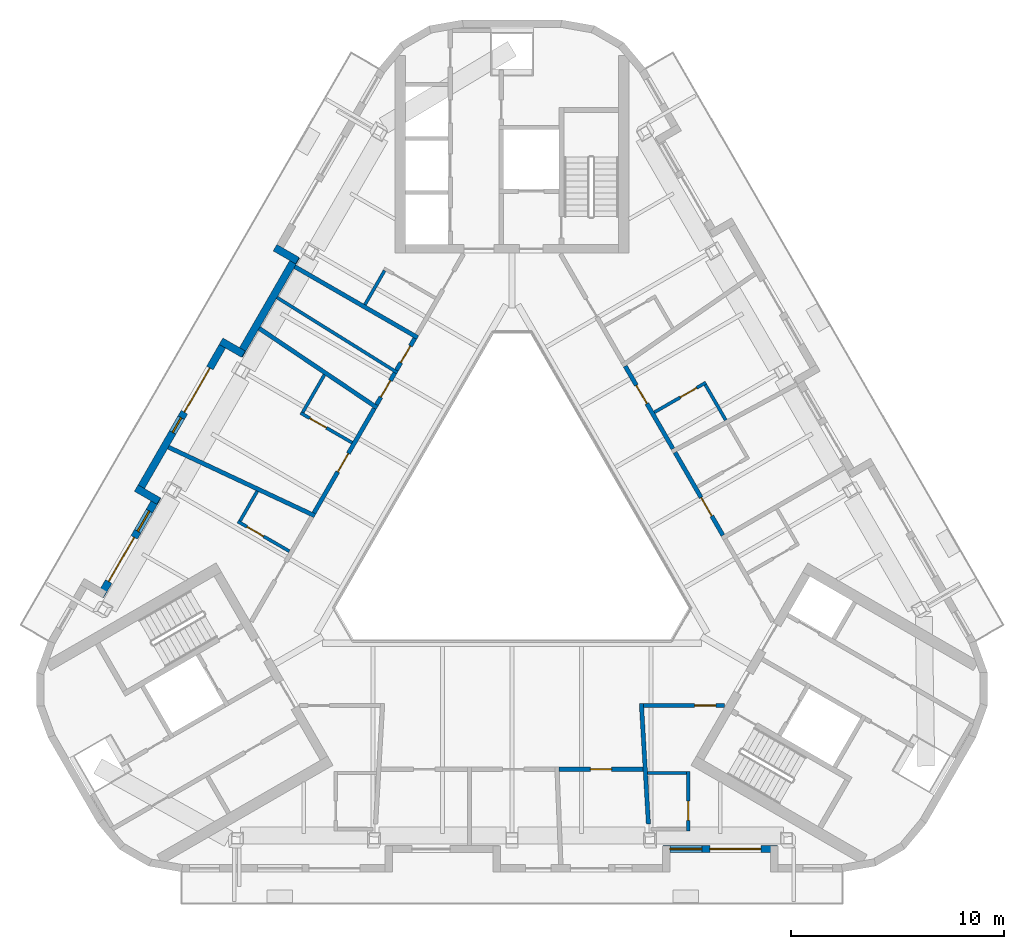
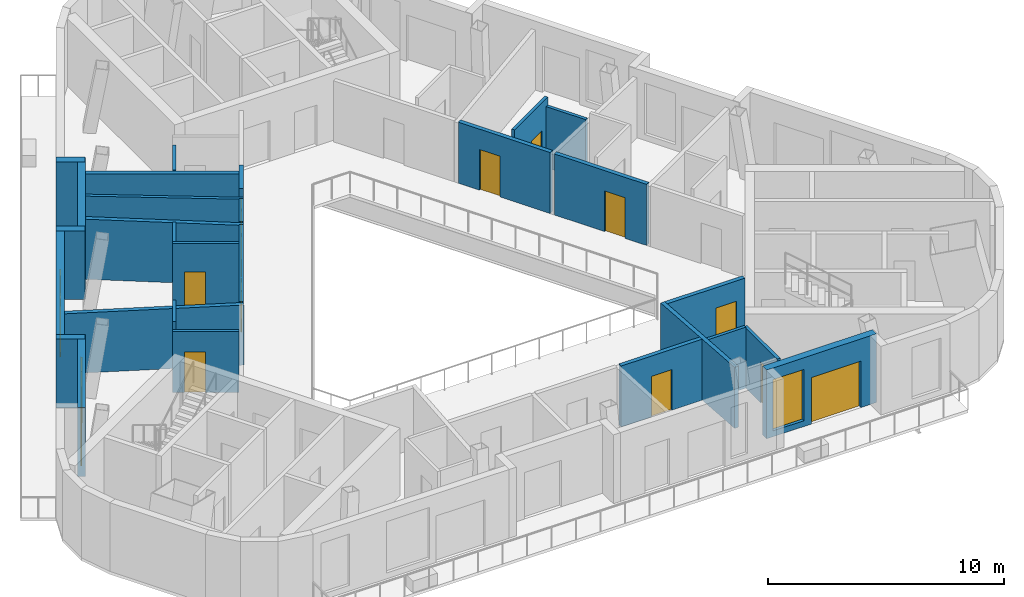
# One storey, part 4 of 11: 28 walls, 14 doors, 3 windows, 17 openings.
"""IFC4 building model written with IfcOpenShell, lengths in metres."""

from ifc_helpers import new_model, si_unit, direction, frame, frame_2d, origin, place, context, subcontext, project, spatial, rectangle, extrude, material, layer, layer_set, type_object, element, fill, save


model = new_model("IFC4")

# Units and contexts
model_context = context("Model", 3, precision=1e-05, world=origin(), true_north=direction((0.0, 1.0)))
body_context = subcontext(model_context, "Body", "Model", "MODEL_VIEW")
ifc_project = project(units=[si_unit("LENGTHUNIT", "METRE"), si_unit("AREAUNIT", "SQUARE_METRE"), si_unit("VOLUMEUNIT", "CUBIC_METRE"), si_unit("PLANEANGLEUNIT", "RADIAN"), si_unit("MASSUNIT", "GRAM", prefix="KILO")], contexts=[model_context])

# Site, building, storey
site_placement = place(None, origin())
site = spatial("IfcSite", under=ifc_project, at=site_placement, CompositionType="ELEMENT")
building_placement = place(site_placement, origin())
building = spatial("IfcBuilding", under=site, at=building_placement, Name="Apuvela Tower Hotel", CompositionType="ELEMENT")
storey_placement = place(building_placement, frame((0.0, 0.0, 320.699951171875)))
storey = spatial("IfcBuildingStorey", under=building, at=storey_placement, Name="L80", CompositionType="ELEMENT", Elevation=320.699951171875)

# Walls
ifc_material_1 = material(Name="Concrete C40/50, dark pigmented precast panel", Category="concrete")
ifc_layer_1 = layer(ifc_material_1, 0.35009765625)
ifc_layer_set_1 = layer_set([ifc_layer_1], Name="ENV-WALL-350")
wall_type_1 = type_object("IfcWallType", Name="ENV-WALL-350", PredefinedType="SOLIDWALL", material=ifc_layer_set_1)
wall_1_placement = place(storey_placement, frame((-11.150634765625, 13.1416015625, 0.0), z_axis=(0.0, 0.0, 1.0), x_axis=(0.866005645448, -0.500034220881, 0.0)))
element("IfcWall", 1, at=wall_1_placement, inside=storey, type_object=wall_type_1, Name="External wall L80-02", PredefinedType="SOLIDWALL", context=body_context, shape_type="SweptSolid", body=[
    extrude(rectangle(XDim=1.22021484375, YDim=0.35009765625, at=frame_2d((0.610107421875, 0.0))), origin(), (0.0, 0.0, 1.0), 3.550048828125),
])
wall_2_placement = place(storey_placement, frame((-10.147216796875, 12.729736328125, 0.0), z_axis=(0.0, 0.0, 1.0), x_axis=(-0.499996591357, -0.866027371756, 0.0)))
element("IfcWall", 2, at=wall_2_placement, inside=storey, type_object=wall_type_1, Name="External wall L80-03", PredefinedType="SOLIDWALL", context=body_context, shape_type="SweptSolid", body=[
    extrude(rectangle(XDim=5.37060546875, YDim=0.35009765625, at=frame_2d((2.685302734375, 0.0))), origin(), (0.0, 0.0, 1.0), 3.550048828125),
])
wall_3_placement = place(storey_placement, frame((-12.63427734375, 8.131591796875, 0.0), z_axis=(0.0, 0.0, 1.0), x_axis=(-0.866005645448, 0.500034220881, 0.0)))
element("IfcWall", 3, at=wall_3_placement, inside=storey, type_object=wall_type_1, Name="External wall L80-04", PredefinedType="SOLIDWALL", context=body_context, shape_type="SweptSolid", body=[
    extrude(rectangle(XDim=1.22021484375, YDim=0.35009765625, at=frame_2d((0.610107421875, 0.0))), origin(), (0.0, 0.0, 1.0), 3.550048828125),
])

# Wall, openings, door, window
wall_4_placement = place(storey_placement, frame((-13.451904296875, 8.8056640625, 0.0), z_axis=(0.0, 0.0, 1.0), x_axis=(-0.499993893925, -0.8660289291, 0.0)))
wall_4 = element("IfcWall", 4, at=wall_4_placement, inside=storey, type_object=wall_type_1, Name="External wall L80-05", PredefinedType="SOLIDWALL", context=body_context, shape_type="SweptSolid", body=[
    extrude(rectangle(XDim=8.33056640625, YDim=0.35009765625, at=frame_2d((4.165283203125, 0.0))), origin(), (0.0, 0.0, 1.0), 3.550048828125),
])
opening_1_placement = place(wall_4_placement, frame((1.52880859375, 0.0, 0.0)))
opening_1 = element("IfcOpeningElement", 5, at=opening_1_placement, cuts=wall_4, Name="Opening BD24", PredefinedType="OPENING", context=body_context, shape_type="SweptSolid", body=[
    extrude(rectangle(XDim=2.39990234375, YDim=2.39990234375, at=frame_2d((1.199951171875, 1.199951171875))), frame((0.0, 0.18505859375, 0.0), z_axis=(0.0, -1.0, 0.0), x_axis=(1.0, 0.0, 0.0)), (0.0, 0.0, 1.0), 0.3701171875),
])
opening_2_placement = place(wall_4_placement, frame((4.228759765625, 0.0, 0.300048828125)))
opening_2 = element("IfcOpeningElement", 6, at=opening_2_placement, cuts=wall_4, Name="Opening WN08", PredefinedType="OPENING", context=body_context, shape_type="SweptSolid", body=[
    extrude(rectangle(XDim=0.800048828125, YDim=2.64990234375, at=frame_2d((0.39990234375, 1.324951171875))), frame((0.0, 0.18505859375, 0.0), z_axis=(0.0, -1.0, 0.0), x_axis=(1.0, 0.0, 0.0)), (0.0, 0.0, 1.0), 0.3701171875),
])
ifc_material_2 = material(Name="Aluminium 6063-T6, dark bronze anodised frame with dark tinted laminated glass", Category="aluminium")
door_type_1 = type_object("IfcDoorType", Name="ENV-DOOR-BALCONY-2400x2400", OperationType="SLIDING_TO_LEFT", PredefinedType="DOOR", material=ifc_material_2)
door_1_placement = place(opening_1_placement, frame((2.39990234375, 0.0, 0.0), z_axis=(0.0, 0.0, 1.0), x_axis=(-1.0, 0.0, 0.0)))
door_1 = element("IfcDoor", 7, at=door_1_placement, inside=storey, type_object=door_type_1, Name="Balcony door BD24", OperationType="SLIDING_TO_LEFT", OverallHeight=2.39990234375, OverallWidth=2.39990234375, PredefinedType="DOOR", context=body_context, shape_type="SweptSolid", body=[
    extrude(rectangle(XDim=2.39990234375, YDim=2.39990234375, at=frame_2d((1.199951171875, 1.199951171875))), frame((0.0, 0.02490234375, 0.0), z_axis=(0.0, -1.0, 0.0), x_axis=(1.0, 0.0, 0.0)), (0.0, 0.0, 1.0), 0.050048828125),
])
fill(opening_1, door_1)
ifc_material_3 = material(Name="Glass, dark tinted laminated insulated glazing unit", Category="glass")
window_type_1 = type_object("IfcWindowType", Name="ENV-WIN-800x2650", PartitioningType="SINGLE_PANEL", PredefinedType="WINDOW", material=ifc_material_3)
window_1_placement = place(opening_2_placement, origin())
window_1 = element("IfcWindow", 8, at=window_1_placement, inside=storey, type_object=window_type_1, Name="Window WN08", OverallHeight=2.64990234375, OverallWidth=0.800048828125, PartitioningType="SINGLE_PANEL", PredefinedType="WINDOW", context=body_context, shape_type="SweptSolid", body=[
    extrude(rectangle(XDim=0.800048828125, YDim=2.64990234375, at=frame_2d((0.39990234375, 1.324951171875))), frame((0.0, 0.030029296875, 0.0), z_axis=(0.0, -1.0, 0.0), x_axis=(1.0, 0.0, 0.0)), (0.0, 0.0, 1.0), 0.06005859375),
])
fill(opening_2, window_1)

# Wall
wall_5_placement = place(storey_placement, frame((-17.68115234375, 1.830078125, 0.0), z_axis=(0.0, 0.0, 1.0), x_axis=(0.866092288191, -0.499884134912, 0.0)))
element("IfcWall", 9, at=wall_5_placement, inside=storey, type_object=wall_type_1, Name="External wall L80-06", PredefinedType="SOLIDWALL", context=body_context, shape_type="SweptSolid", body=[
    extrude(rectangle(XDim=1.219970703125, YDim=0.35009765625, at=frame_2d((0.60986328125, 0.0))), origin(), (0.0, 0.0, 1.0), 3.550048828125),
])

# Wall, openings, door, window
wall_6_placement = place(storey_placement, frame((-16.677734375, 1.418212890625, 0.0), z_axis=(0.0, 0.0, 1.0), x_axis=(-0.499996591357, -0.866027371756, 0.0)))
wall_6 = element("IfcWall", 10, at=wall_6_placement, inside=storey, type_object=wall_type_1, Name="External wall L80-07", PredefinedType="SOLIDWALL", context=body_context, shape_type="SweptSolid", body=[
    extrude(rectangle(XDim=5.37060546875, YDim=0.35009765625, at=frame_2d((2.685302734375, 0.0))), origin(), (0.0, 0.0, 1.0), 3.550048828125),
])
opening_3_placement = place(wall_6_placement, frame((2.20068359375, 0.0, 0.0)))
opening_3 = element("IfcOpeningElement", 11, at=opening_3_placement, cuts=wall_6, Name="Opening BD24", PredefinedType="OPENING", context=body_context, shape_type="SweptSolid", body=[
    extrude(rectangle(XDim=2.39990234375, YDim=2.39990234375, at=frame_2d((1.199951171875, 1.199951171875))), frame((0.0, 0.18505859375, 0.0), z_axis=(0.0, -1.0, 0.0), x_axis=(1.0, 0.0, 0.0)), (0.0, 0.0, 1.0), 0.3701171875),
])
opening_4_placement = place(wall_6_placement, frame((0.77001953125, 0.0, 0.300048828125)))
opening_4 = element("IfcOpeningElement", 12, at=opening_4_placement, cuts=wall_6, Name="Opening WN11", PredefinedType="OPENING", context=body_context, shape_type="SweptSolid", body=[
    extrude(rectangle(XDim=1.10009765625, YDim=2.64990234375, at=frame_2d((0.550048828125, 1.324951171875))), frame((0.0, 0.18505859375, 0.0), z_axis=(0.0, -1.0, 0.0), x_axis=(1.0, 0.0, 0.0)), (0.0, 0.0, 1.0), 0.3701171875),
])
door_2_placement = place(opening_3_placement, frame((2.39990234375, 0.0, 0.0), z_axis=(0.0, 0.0, 1.0), x_axis=(-1.0, 0.0, 0.0)))
door_2 = element("IfcDoor", 13, at=door_2_placement, inside=storey, type_object=door_type_1, Name="Balcony door BD24", OperationType="SLIDING_TO_LEFT", OverallHeight=2.39990234375, OverallWidth=2.39990234375, PredefinedType="DOOR", context=body_context, shape_type="SweptSolid", body=[
    extrude(rectangle(XDim=2.39990234375, YDim=2.39990234375, at=frame_2d((1.199951171875, 1.199951171875))), frame((0.0, 0.02490234375, 0.0), z_axis=(0.0, -1.0, 0.0), x_axis=(1.0, 0.0, 0.0)), (0.0, 0.0, 1.0), 0.050048828125),
])
fill(opening_3, door_2)
window_type_2 = type_object("IfcWindowType", Name="ENV-WIN-1100x2650", PartitioningType="SINGLE_PANEL", PredefinedType="WINDOW", material=ifc_material_3)
window_2_placement = place(opening_4_placement, origin())
window_2 = element("IfcWindow", 14, at=window_2_placement, inside=storey, type_object=window_type_2, Name="Window WN11", OverallHeight=2.64990234375, OverallWidth=1.10009765625, PartitioningType="SINGLE_PANEL", PredefinedType="WINDOW", context=body_context, shape_type="SweptSolid", body=[
    extrude(rectangle(XDim=1.10009765625, YDim=2.64990234375, at=frame_2d((0.550048828125, 1.324951171875))), frame((0.0, 0.030029296875, 0.0), z_axis=(0.0, -1.0, 0.0), x_axis=(1.0, 0.0, 0.0)), (0.0, 0.0, 1.0), 0.06005859375),
])
fill(opening_4, window_2)

wall_7_placement = place(storey_placement, frame((7.110595703125, -15.152587890625, 0.0), z_axis=(0.0, 0.0, 1.0), x_axis=(1.0, 0.0, 0.0)))
wall_7 = element("IfcWall", 15, at=wall_7_placement, inside=storey, type_object=wall_type_1, Name="External wall L80-23", PredefinedType="SOLIDWALL", context=body_context, shape_type="SweptSolid", body=[
    extrude(rectangle(XDim=5.370849609375, YDim=0.35009765625, at=frame_2d((2.685546875, 0.0))), origin(), (0.0, 0.0, 1.0), 3.550048828125),
])
opening_5_placement = place(wall_7_placement, frame((2.20068359375, 0.0, 0.0)))
opening_5 = element("IfcOpeningElement", 16, at=opening_5_placement, cuts=wall_7, Name="Opening BD24", PredefinedType="OPENING", context=body_context, shape_type="SweptSolid", body=[
    extrude(rectangle(XDim=2.39990234375, YDim=2.39990234375, at=frame_2d((1.199951171875, 1.199951171875))), frame((0.0, 0.18505859375, 0.0), z_axis=(0.0, -1.0, 0.0), x_axis=(1.0, 0.0, 0.0)), (0.0, 0.0, 1.0), 0.3701171875),
])
opening_6_placement = place(wall_7_placement, frame((0.3203125, 0.0, 0.300048828125)))
opening_6 = element("IfcOpeningElement", 17, at=opening_6_placement, cuts=wall_7, Name="Opening WN15", PredefinedType="OPENING", context=body_context, shape_type="SweptSolid", body=[
    extrude(rectangle(XDim=1.5, YDim=2.64990234375, at=frame_2d((0.75, 1.324951171875))), frame((0.0, 0.18505859375, 0.0), z_axis=(0.0, -1.0, 0.0), x_axis=(1.0, 0.0, 0.0)), (0.0, 0.0, 1.0), 0.3701171875),
])
door_3_placement = place(opening_5_placement, frame((2.39990234375, 0.0, 0.0), z_axis=(0.0, 0.0, 1.0), x_axis=(-1.0, 0.0, 0.0)))
door_3 = element("IfcDoor", 18, at=door_3_placement, inside=storey, type_object=door_type_1, Name="Balcony door BD24", OperationType="SLIDING_TO_LEFT", OverallHeight=2.39990234375, OverallWidth=2.39990234375, PredefinedType="DOOR", context=body_context, shape_type="SweptSolid", body=[
    extrude(rectangle(XDim=2.39990234375, YDim=2.39990234375, at=frame_2d((1.199951171875, 1.199951171875))), frame((0.0, 0.02490234375, 0.0), z_axis=(0.0, -1.0, 0.0), x_axis=(1.0, 0.0, 0.0)), (0.0, 0.0, 1.0), 0.050048828125),
])
fill(opening_5, door_3)
window_type_3 = type_object("IfcWindowType", Name="ENV-WIN-1500x2650", PartitioningType="SINGLE_PANEL", PredefinedType="WINDOW", material=ifc_material_3)
window_3_placement = place(opening_6_placement, origin())
window_3 = element("IfcWindow", 19, at=window_3_placement, inside=storey, type_object=window_type_3, Name="Window WN15", OverallHeight=2.64990234375, OverallWidth=1.5, PartitioningType="SINGLE_PANEL", PredefinedType="WINDOW", context=body_context, shape_type="SweptSolid", body=[
    extrude(rectangle(XDim=1.5, YDim=2.64990234375, at=frame_2d((0.75, 1.324951171875))), frame((0.0, 0.030029296875, 0.0), z_axis=(0.0, -1.0, 0.0), x_axis=(1.0, 0.0, 0.0)), (0.0, 0.0, 1.0), 0.06005859375),
])
fill(opening_6, window_3)

# Walls
ifc_material_4 = material(Name="Gypsum board partition on twin steel stud", Category="steel")
ifc_layer_2 = layer(ifc_material_4, 0.199951171875)
ifc_layer_set_2 = layer_set([ifc_layer_2], Name="GST-PW1")
wall_type_2 = type_object("IfcWallType", Name="GST-PW1", PredefinedType="PARTITIONING", material=ifc_layer_set_2)
wall_8_placement = place(storey_placement, frame((6.419921875, -13.981689453125, 0.0), z_axis=(0.0, 0.0, 1.0), x_axis=(-0.058254288977, 0.998301776927, 0.0)))
element("IfcWall", 20, at=wall_8_placement, inside=storey, type_object=wall_type_2, Name="L80 partition 04", PredefinedType="PARTITIONING", context=body_context, shape_type="SweptSolid", body=[
    extrude(rectangle(XDim=5.69140625, YDim=0.199951171875, at=frame_2d((2.845703125, 0.0))), origin(), (0.0, 0.0, 1.0), 3.150146484375),
])
wall_9_placement = place(storey_placement, frame((-10.220947265625, 12.251953125, 0.0), z_axis=(0.0, 0.0, 1.0), x_axis=(0.866020588255, -0.50000834065, 0.0)))
element("IfcWall", 21, at=wall_9_placement, inside=storey, type_object=wall_type_2, Name="L80 partition 08", PredefinedType="PARTITIONING", context=body_context, shape_type="SweptSolid", body=[
    extrude(rectangle(XDim=6.677734375, YDim=0.199951171875, at=frame_2d((3.3388671875, 0.0))), origin(), (0.0, 0.0, 1.0), 3.10009765625),
])
wall_10_placement = place(storey_placement, frame((-11.89697265625, 9.348876953125, 0.0), z_axis=(0.0, 0.0, 1.0), x_axis=(0.829476932463, -0.558540972992, 0.0)))
element("IfcWall", 22, at=wall_10_placement, inside=storey, type_object=wall_type_2, Name="L80 partition 09", PredefinedType="PARTITIONING", context=body_context, shape_type="SweptSolid", body=[
    extrude(rectangle(XDim=6.693359375, YDim=0.199951171875, at=frame_2d((3.3466796875, 0.0))), origin(), (0.0, 0.0, 1.0), 3.10009765625),
])
wall_11_placement = place(storey_placement, frame((-16.165283203125, 3.755859375, 0.0), z_axis=(0.0, 0.0, 1.0), x_axis=(0.905429632533, -0.42449638459, 0.0)))
element("IfcWall", 23, at=wall_11_placement, inside=storey, type_object=wall_type_2, Name="L80 partition 10", PredefinedType="PARTITIONING", context=body_context, shape_type="SweptSolid", body=[
    extrude(rectangle(XDim=7.60498046875, YDim=0.199951171875, at=frame_2d((3.802490234375, 0.0))), origin(), (0.0, 0.0, 1.0), 3.10009765625),
])

# Wall, opening, door
ifc_material_5 = material(Name="Gypsum board corridor wall on twin steel stud, acoustic", Category="steel")
ifc_layer_3 = layer(ifc_material_5, 0.199951171875)
ifc_layer_set_3 = layer_set([ifc_layer_3], Name="GST-PW2")
wall_type_3 = type_object("IfcWallType", Name="GST-PW2", PredefinedType="PARTITIONING", material=ifc_layer_set_3)
wall_12_placement = place(storey_placement, frame((6.169189453125, -11.39990234375, 0.0), z_axis=(0.0, 0.0, 1.0), x_axis=(-1.0, 0.0, 0.0)))
wall_12 = element("IfcWall", 24, at=wall_12_placement, inside=storey, type_object=wall_type_3, Name="L80 partition 17", PredefinedType="PARTITIONING", context=body_context, shape_type="SweptSolid", body=[
    extrude(rectangle(XDim=3.951171875, YDim=0.199951171875, at=frame_2d((1.9755859375, 0.0))), origin(), (0.0, 0.0, 1.0), 3.150146484375),
])
opening_7_placement = place(wall_12_placement, frame((1.4755859375, 0.0, 0.0)))
opening_7 = element("IfcOpeningElement", 25, at=opening_7_placement, cuts=wall_12, Name="Opening GD34-05", PredefinedType="OPENING", context=body_context, shape_type="SweptSolid", body=[
    extrude(rectangle(XDim=1.0, YDim=2.10009765625, at=frame_2d((0.5, 1.050048828125))), frame((0.0, 0.10986328125, 0.0), z_axis=(0.0, -1.0, 0.0), x_axis=(1.0, 0.0, 0.0)), (0.0, 0.0, 1.0), 0.219970703125),
])
ifc_material_6 = material(Name="Timber door leaf in steel frame", Category="steel")
door_type_2 = type_object("IfcDoorType", Name="GST-D1", OperationType="NOTDEFINED", PredefinedType="DOOR", material=ifc_material_6)
door_4_placement = place(opening_7_placement, origin())
door_4 = element("IfcDoor", 26, at=door_4_placement, inside=storey, type_object=door_type_2, Name="Door L80-05", OperationType="SINGLE_SWING_LEFT", OverallHeight=2.10009765625, OverallWidth=1.0, PredefinedType="DOOR", context=body_context, shape_type="SweptSolid", body=[
    extrude(rectangle(XDim=1.0, YDim=2.10009765625, at=frame_2d((0.5, 1.050048828125))), frame((0.0, 0.02490234375, 0.0), z_axis=(0.0, -1.0, 0.0), x_axis=(1.0, 0.0, 0.0)), (0.0, 0.0, 1.0), 0.050048828125),
])
fill(opening_7, door_4)

wall_13_placement = place(storey_placement, frame((9.98828125, -8.39990234375, 0.0), z_axis=(0.0, 0.0, 1.0), x_axis=(-1.0, 0.0, 0.0)))
wall_13 = element("IfcWall", 27, at=wall_13_placement, inside=storey, type_object=wall_type_3, Name="L80 partition 18", PredefinedType="PARTITIONING", context=body_context, shape_type="SweptSolid", body=[
    extrude(rectangle(XDim=3.7939453125, YDim=0.199951171875, at=frame_2d((1.89697265625, 0.0))), origin(), (0.0, 0.0, 1.0), 3.150146484375),
])
opening_8_placement = place(wall_13_placement, frame((0.39990234375, 0.0, 0.0)))
opening_8 = element("IfcOpeningElement", 28, at=opening_8_placement, cuts=wall_13, Name="Opening GD34-07", PredefinedType="OPENING", context=body_context, shape_type="SweptSolid", body=[
    extrude(rectangle(XDim=1.0, YDim=2.10009765625, at=frame_2d((0.5, 1.050048828125))), frame((0.0, 0.10986328125, 0.0), z_axis=(0.0, -1.0, 0.0), x_axis=(1.0, 0.0, 0.0)), (0.0, 0.0, 1.0), 0.219970703125),
])
door_5_placement = place(opening_8_placement, origin())
door_5 = element("IfcDoor", 29, at=door_5_placement, inside=storey, type_object=door_type_2, Name="Door L80-07", OperationType="SINGLE_SWING_LEFT", OverallHeight=2.10009765625, OverallWidth=1.0, PredefinedType="DOOR", context=body_context, shape_type="SweptSolid", body=[
    extrude(rectangle(XDim=1.0, YDim=2.10009765625, at=frame_2d((0.5, 1.050048828125))), frame((0.0, 0.02490234375, 0.0), z_axis=(0.0, -1.0, 0.0), x_axis=(1.0, 0.0, 0.0)), (0.0, 0.0, 1.0), 0.050048828125),
])
fill(opening_8, door_5)

wall_14_placement = place(storey_placement, frame((7.673095703125, 3.509521484375, 0.0), z_axis=(0.0, 0.0, 1.0), x_axis=(0.500022833518, -0.866012220445, 0.0)))
wall_14 = element("IfcWall", 30, at=wall_14_placement, inside=storey, type_object=wall_type_3, Name="L80 partition 25", PredefinedType="PARTITIONING", context=body_context, shape_type="SweptSolid", body=[
    extrude(rectangle(XDim=4.502685546875, YDim=0.199951171875, at=frame_2d((2.25146484375, 0.0))), origin(), (0.0, 0.0, 1.0), 3.150146484375),
])
opening_9_placement = place(wall_14_placement, frame((2.452880859375, 0.0, 0.0)))
opening_9 = element("IfcOpeningElement", 31, at=opening_9_placement, cuts=wall_14, Name="Opening GD34-11", PredefinedType="OPENING", context=body_context, shape_type="SweptSolid", body=[
    extrude(rectangle(XDim=1.0, YDim=2.10009765625, at=frame_2d((0.5, 1.050048828125))), frame((0.0, 0.10986328125, 0.0), z_axis=(0.0, -1.0, 0.0), x_axis=(1.0, 0.0, 0.0)), (0.0, 0.0, 1.0), 0.219970703125),
])
door_6_placement = place(opening_9_placement, origin())
door_6 = element("IfcDoor", 32, at=door_6_placement, inside=storey, type_object=door_type_2, Name="Door L80-11", OperationType="SINGLE_SWING_RIGHT", OverallHeight=2.10009765625, OverallWidth=1.0, PredefinedType="DOOR", context=body_context, shape_type="SweptSolid", body=[
    extrude(rectangle(XDim=1.0, YDim=2.10009765625, at=frame_2d((0.5, 1.050048828125))), frame((0.0, 0.02490234375, 0.0), z_axis=(0.0, -1.0, 0.0), x_axis=(1.0, 0.0, 0.0)), (0.0, 0.0, 1.0), 0.050048828125),
])
fill(opening_9, door_6)

wall_15_placement = place(storey_placement, frame((5.328857421875, 7.5703125, 0.0), z_axis=(0.0, 0.0, 1.0), x_axis=(0.49999394914, -0.866028897222, 0.0)))
wall_15 = element("IfcWall", 33, at=wall_15_placement, inside=storey, type_object=wall_type_3, Name="L80 partition 28", PredefinedType="PARTITIONING", context=body_context, shape_type="SweptSolid", body=[
    extrude(rectangle(XDim=4.48876953125, YDim=0.199951171875, at=frame_2d((2.244384765625, 0.0))), origin(), (0.0, 0.0, 1.0), 3.150146484375),
])
opening_10_placement = place(wall_15_placement, frame((1.04150390625, 0.0, 0.0)))
opening_10 = element("IfcOpeningElement", 34, at=opening_10_placement, cuts=wall_15, Name="Opening GD34-13", PredefinedType="OPENING", context=body_context, shape_type="SweptSolid", body=[
    extrude(rectangle(XDim=1.0, YDim=2.10009765625, at=frame_2d((0.5, 1.050048828125))), frame((0.0, 0.10986328125, 0.0), z_axis=(0.0, -1.0, 0.0), x_axis=(1.0, 0.0, 0.0)), (0.0, 0.0, 1.0), 0.219970703125),
])
door_7_placement = place(opening_10_placement, origin())
door_7 = element("IfcDoor", 35, at=door_7_placement, inside=storey, type_object=door_type_2, Name="Door L80-13", OperationType="SINGLE_SWING_LEFT", OverallHeight=2.10009765625, OverallWidth=1.0, PredefinedType="DOOR", context=body_context, shape_type="SweptSolid", body=[
    extrude(rectangle(XDim=1.0, YDim=2.10009765625, at=frame_2d((0.5, 1.050048828125))), frame((0.0, 0.02490234375, 0.0), z_axis=(0.0, -1.0, 0.0), x_axis=(1.0, 0.0, 0.0)), (0.0, 0.0, 1.0), 0.050048828125),
])
fill(opening_10, door_7)

wall_16_placement = place(storey_placement, frame((-5.438720703125, 7.379638671875, 0.0), z_axis=(0.0, 0.0, 1.0), x_axis=(0.499922180863, 0.866070328023, 0.0)))
wall_16 = element("IfcWall", 36, at=wall_16_placement, inside=storey, type_object=wall_type_3, Name="L80 partition 38", PredefinedType="PARTITIONING", context=body_context, shape_type="SweptSolid", body=[
    extrude(rectangle(XDim=1.728271484375, YDim=0.199951171875, at=frame_2d((0.8642578125, 0.0))), origin(), (0.0, 0.0, 1.0), 3.550048828125),
])
opening_11_placement = place(wall_16_placement, frame((0.414306640625, 0.0, 0.0)))
opening_11 = element("IfcOpeningElement", 37, at=opening_11_placement, cuts=wall_16, Name="Opening GD34-18", PredefinedType="OPENING", context=body_context, shape_type="SweptSolid", body=[
    extrude(rectangle(XDim=0.89990234375, YDim=2.10009765625, at=frame_2d((0.449951171875, 1.050048828125))), frame((0.0, 0.10986328125, 0.0), z_axis=(0.0, -1.0, 0.0), x_axis=(1.0, 0.0, 0.0)), (0.0, 0.0, 1.0), 0.219970703125),
])
door_type_3 = type_object("IfcDoorType", Name="GST-D2", OperationType="NOTDEFINED", PredefinedType="DOOR", material=ifc_material_6)
door_8_placement = place(opening_11_placement, origin())
door_8 = element("IfcDoor", 38, at=door_8_placement, inside=storey, type_object=door_type_3, Name="Door L80-18", OperationType="SINGLE_SWING_LEFT", OverallHeight=2.10009765625, OverallWidth=0.89990234375, PredefinedType="DOOR", context=body_context, shape_type="SweptSolid", body=[
    extrude(rectangle(XDim=0.89990234375, YDim=2.10009765625, at=frame_2d((0.449951171875, 1.050048828125))), frame((0.0, 0.02490234375, 0.0), z_axis=(0.0, -1.0, 0.0), x_axis=(1.0, 0.0, 0.0)), (0.0, 0.0, 1.0), 0.050048828125),
])
fill(opening_11, door_8)

wall_17_placement = place(storey_placement, frame((-6.3779296875, 5.753173828125, 0.0), z_axis=(0.0, 0.0, 1.0), x_axis=(0.499983348498, 0.86603501732, 0.0)))
wall_17 = element("IfcWall", 39, at=wall_17_placement, inside=storey, type_object=wall_type_3, Name="L80 partition 39", PredefinedType="PARTITIONING", context=body_context, shape_type="SweptSolid", body=[
    extrude(rectangle(XDim=1.72802734375, YDim=0.199951171875, at=frame_2d((0.864013671875, 0.0))), origin(), (0.0, 0.0, 1.0), 3.150146484375),
])
opening_12_placement = place(wall_17_placement, frame((0.4140625, 0.0, 0.0)))
opening_12 = element("IfcOpeningElement", 40, at=opening_12_placement, cuts=wall_17, Name="Opening GD34-19", PredefinedType="OPENING", context=body_context, shape_type="SweptSolid", body=[
    extrude(rectangle(XDim=0.89990234375, YDim=2.10009765625, at=frame_2d((0.449951171875, 1.050048828125))), frame((0.0, 0.10986328125, 0.0), z_axis=(0.0, -1.0, 0.0), x_axis=(1.0, 0.0, 0.0)), (0.0, 0.0, 1.0), 0.219970703125),
])
door_9_placement = place(opening_12_placement, origin())
door_9 = element("IfcDoor", 41, at=door_9_placement, inside=storey, type_object=door_type_3, Name="Door L80-19", OperationType="SINGLE_SWING_RIGHT", OverallHeight=2.10009765625, OverallWidth=0.89990234375, PredefinedType="DOOR", context=body_context, shape_type="SweptSolid", body=[
    extrude(rectangle(XDim=0.89990234375, YDim=2.10009765625, at=frame_2d((0.449951171875, 1.050048828125))), frame((0.0, 0.02490234375, 0.0), z_axis=(0.0, -1.0, 0.0), x_axis=(1.0, 0.0, 0.0)), (0.0, 0.0, 1.0), 0.050048828125),
])
fill(opening_12, door_9)

wall_18_placement = place(storey_placement, frame((-9.3203125, 0.656982421875, 0.0), z_axis=(0.0, 0.0, 1.0), x_axis=(0.500014943438, 0.866016776015, 0.0)))
wall_18 = element("IfcWall", 42, at=wall_18_placement, inside=storey, type_object=wall_type_3, Name="L80 partition 40", PredefinedType="PARTITIONING", context=body_context, shape_type="SweptSolid", body=[
    extrude(rectangle(XDim=5.683837890625, YDim=0.199951171875, at=frame_2d((2.841796875, 0.0))), origin(), (0.0, 0.0, 1.0), 3.150146484375),
])
opening_13_placement = place(wall_18_placement, frame((2.240966796875, 0.0, 0.0)))
opening_13 = element("IfcOpeningElement", 43, at=opening_13_placement, cuts=wall_18, Name="Opening GD34-21", PredefinedType="OPENING", context=body_context, shape_type="SweptSolid", body=[
    extrude(rectangle(XDim=1.0, YDim=2.10009765625, at=frame_2d((0.5, 1.050048828125))), frame((0.0, 0.10986328125, 0.0), z_axis=(0.0, -1.0, 0.0), x_axis=(1.0, 0.0, 0.0)), (0.0, 0.0, 1.0), 0.219970703125),
])
door_10_placement = place(opening_13_placement, origin())
door_10 = element("IfcDoor", 44, at=door_10_placement, inside=storey, type_object=door_type_2, Name="Door L80-21", OperationType="SINGLE_SWING_LEFT", OverallHeight=2.10009765625, OverallWidth=1.0, PredefinedType="DOOR", context=body_context, shape_type="SweptSolid", body=[
    extrude(rectangle(XDim=1.0, YDim=2.10009765625, at=frame_2d((0.5, 1.050048828125))), frame((0.0, 0.02490234375, 0.0), z_axis=(0.0, -1.0, 0.0), x_axis=(1.0, 0.0, 0.0)), (0.0, 0.0, 1.0), 0.050048828125),
])
fill(opening_13, door_10)

ifc_material_7 = material(Name="Moisture-resistant gypsum board wet wall on steel stud", Category="steel")
ifc_layer_4 = layer(ifc_material_7, 0.14990234375)
ifc_layer_set_4 = layer_set([ifc_layer_4], Name="GST-PW3")
wall_type_4 = type_object("IfcWallType", Name="GST-PW3", PredefinedType="PARTITIONING", material=ifc_layer_set_4)
wall_19_placement = place(storey_placement, frame((8.294189453125, -14.300048828125, 0.0), z_axis=(0.0, 0.0, 1.0), x_axis=(0.0, 1.0, 0.0)))
wall_19 = element("IfcWall", 45, at=wall_19_placement, inside=storey, type_object=wall_type_4, Name="L80 partition 19", PredefinedType="PARTITIONING", context=body_context, shape_type="SweptSolid", body=[
    extrude(rectangle(XDim=2.800048828125, YDim=0.14990234375, at=frame_2d((1.39990234375, 0.0))), origin(), (0.0, 0.0, 1.0), 3.10009765625),
])
opening_14_placement = place(wall_19_placement, frame((0.5, 0.0, 0.0)))
opening_14 = element("IfcOpeningElement", 46, at=opening_14_placement, cuts=wall_19, Name="Opening GD34-06", PredefinedType="OPENING", context=body_context, shape_type="SweptSolid", body=[
    extrude(rectangle(XDim=0.89990234375, YDim=2.10009765625, at=frame_2d((0.449951171875, 1.050048828125))), frame((0.0, 0.0849609375, 0.0), z_axis=(0.0, -1.0, 0.0), x_axis=(1.0, 0.0, 0.0)), (0.0, 0.0, 1.0), 0.169921875),
])
door_11_placement = place(opening_14_placement, origin())
door_11 = element("IfcDoor", 47, at=door_11_placement, inside=storey, type_object=door_type_3, Name="Door L80-06", OperationType="SINGLE_SWING_LEFT", OverallHeight=2.10009765625, OverallWidth=0.89990234375, PredefinedType="DOOR", context=body_context, shape_type="SweptSolid", body=[
    extrude(rectangle(XDim=0.89990234375, YDim=2.10009765625, at=frame_2d((0.449951171875, 1.050048828125))), frame((0.0, 0.02490234375, 0.0), z_axis=(0.0, -1.0, 0.0), x_axis=(1.0, 0.0, 0.0)), (0.0, 0.0, 1.0), 0.050048828125),
])
fill(opening_14, door_11)

# Wall
wall_20_placement = place(storey_placement, frame((6.379638671875, -11.574951171875, 0.0), z_axis=(0.0, 0.0, 1.0), x_axis=(1.0, 0.0, 0.0)))
element("IfcWall", 48, at=wall_20_placement, inside=storey, type_object=wall_type_4, Name="L80 partition 21", PredefinedType="PARTITIONING", context=body_context, shape_type="SweptSolid", body=[
    extrude(rectangle(XDim=1.83935546875, YDim=0.14990234375, at=frame_2d((0.919677734375, 0.0))), origin(), (0.0, 0.0, 1.0), 3.150146484375),
])

# Wall, opening, door
wall_21_placement = place(storey_placement, frame((9.12353515625, 6.797607421875, 0.0), z_axis=(0.0, 0.0, 1.0), x_axis=(-0.865996816683, -0.500049511043, 0.0)))
wall_21 = element("IfcWall", 49, at=wall_21_placement, inside=storey, type_object=wall_type_4, Name="L80 partition 29", PredefinedType="PARTITIONING", context=body_context, shape_type="SweptSolid", body=[
    extrude(rectangle(XDim=2.800048828125, YDim=0.14990234375, at=frame_2d((1.39990234375, 0.0))), origin(), (0.0, 0.0, 1.0), 3.550048828125),
])
opening_15_placement = place(wall_21_placement, frame((0.5, 0.0, 0.0)))
opening_15 = element("IfcOpeningElement", 50, at=opening_15_placement, cuts=wall_21, Name="Opening GD34-12", PredefinedType="OPENING", context=body_context, shape_type="SweptSolid", body=[
    extrude(rectangle(XDim=0.89990234375, YDim=2.10009765625, at=frame_2d((0.449951171875, 1.050048828125))), frame((0.0, 0.0849609375, 0.0), z_axis=(0.0, -1.0, 0.0), x_axis=(1.0, 0.0, 0.0)), (0.0, 0.0, 1.0), 0.169921875),
])
door_12_placement = place(opening_15_placement, origin())
door_12 = element("IfcDoor", 51, at=door_12_placement, inside=storey, type_object=door_type_3, Name="Door L80-12", OperationType="SINGLE_SWING_LEFT", OverallHeight=2.10009765625, OverallWidth=0.89990234375, PredefinedType="DOOR", context=body_context, shape_type="SweptSolid", body=[
    extrude(rectangle(XDim=0.89990234375, YDim=2.10009765625, at=frame_2d((0.449951171875, 1.050048828125))), frame((0.0, 0.02490234375, 0.0), z_axis=(0.0, -1.0, 0.0), x_axis=(1.0, 0.0, 0.0)), (0.0, 0.0, 1.0), 0.050048828125),
])
fill(opening_15, door_12)

# Walls
wall_22_placement = place(storey_placement, frame((10.059814453125, 5.025634765625, 0.0), z_axis=(0.0, 0.0, 1.0), x_axis=(-0.499912496227, 0.866075918217, 0.0)))
element("IfcWall", 52, at=wall_22_placement, inside=storey, type_object=wall_type_4, Name="L80 partition 30", PredefinedType="PARTITIONING", context=body_context, shape_type="SweptSolid", body=[
    extrude(rectangle(XDim=1.927490234375, YDim=0.14990234375, at=frame_2d((0.9638671875, 0.0))), origin(), (0.0, 0.0, 1.0), 3.150146484375),
])
wall_23_placement = place(storey_placement, frame((-5.99609375, 12.064453125, 0.0), z_axis=(0.0, 0.0, 1.0), x_axis=(-0.499985172903, -0.866033964044, 0.0)))
element("IfcWall", 53, at=wall_23_placement, inside=storey, type_object=wall_type_4, Name="L80 partition 36", PredefinedType="PARTITIONING", context=body_context, shape_type="SweptSolid", body=[
    extrude(rectangle(XDim=1.85009765625, YDim=0.14990234375, at=frame_2d((0.925048828125, 0.0))), origin(), (0.0, 0.0, 1.0), 3.150146484375),
])
wall_24_placement = place(storey_placement, frame((-11.05908203125, 10.80029296875, 0.0), z_axis=(0.0, 0.0, 1.0), x_axis=(0.848240447151, -0.529611313906, 0.0)))
element("IfcWall", 54, at=wall_24_placement, inside=storey, type_object=wall_type_4, Name="L80 partition 37", PredefinedType="PARTITIONING", context=body_context, shape_type="SweptSolid", body=[
    extrude(rectangle(XDim=6.681396484375, YDim=0.14990234375, at=frame_2d((3.3408203125, 0.0))), origin(), (0.0, 0.0, 1.0), 3.10009765625),
])

# Wall, opening, door
wall_25_placement = place(storey_placement, frame((-9.94873046875, 5.368408203125, 0.0), z_axis=(0.0, 0.0, 1.0), x_axis=(0.866018616679, -0.500011755427, 0.0)))
wall_25 = element("IfcWall", 55, at=wall_25_placement, inside=storey, type_object=wall_type_4, Name="L80 partition 41", PredefinedType="PARTITIONING", context=body_context, shape_type="SweptSolid", body=[
    extrude(rectangle(XDim=2.80029296875, YDim=0.14990234375, at=frame_2d((1.400146484375, 0.0))), origin(), (0.0, 0.0, 1.0), 3.550048828125),
])
opening_16_placement = place(wall_25_placement, frame((0.5, 0.0, 0.0)))
opening_16 = element("IfcOpeningElement", 56, at=opening_16_placement, cuts=wall_25, Name="Opening GD34-20", PredefinedType="OPENING", context=body_context, shape_type="SweptSolid", body=[
    extrude(rectangle(XDim=0.89990234375, YDim=2.10009765625, at=frame_2d((0.449951171875, 1.050048828125))), frame((0.0, 0.0849609375, 0.0), z_axis=(0.0, -1.0, 0.0), x_axis=(1.0, 0.0, 0.0)), (0.0, 0.0, 1.0), 0.169921875),
])
door_13_placement = place(opening_16_placement, origin())
door_13 = element("IfcDoor", 57, at=door_13_placement, inside=storey, type_object=door_type_3, Name="Door L80-20", OperationType="SINGLE_SWING_LEFT", OverallHeight=2.10009765625, OverallWidth=0.89990234375, PredefinedType="DOOR", context=body_context, shape_type="SweptSolid", body=[
    extrude(rectangle(XDim=0.89990234375, YDim=2.10009765625, at=frame_2d((0.449951171875, 1.050048828125))), frame((0.0, 0.02490234375, 0.0), z_axis=(0.0, -1.0, 0.0), x_axis=(1.0, 0.0, 0.0)), (0.0, 0.0, 1.0), 0.050048828125),
])
fill(opening_16, door_13)

# Wall
wall_26_placement = place(storey_placement, frame((-8.8271484375, 7.1611328125, 0.0), z_axis=(0.0, 0.0, 1.0), x_axis=(-0.499926356982, -0.866067917426, 0.0)))
element("IfcWall", 58, at=wall_26_placement, inside=storey, type_object=wall_type_4, Name="L80 partition 42", PredefinedType="PARTITIONING", context=body_context, shape_type="SweptSolid", body=[
    extrude(rectangle(XDim=2.038330078125, YDim=0.14990234375, at=frame_2d((1.01904296875, 0.0))), origin(), (0.0, 0.0, 1.0), 3.150146484375),
])

# Wall, opening, door
wall_27_placement = place(storey_placement, frame((-12.898681640625, 0.2587890625, 0.0), z_axis=(0.0, 0.0, 1.0), x_axis=(0.865996816683, -0.500049511043, 0.0)))
wall_27 = element("IfcWall", 59, at=wall_27_placement, inside=storey, type_object=wall_type_4, Name="L80 partition 44", PredefinedType="PARTITIONING", context=body_context, shape_type="SweptSolid", body=[
    extrude(rectangle(XDim=2.800048828125, YDim=0.14990234375, at=frame_2d((1.39990234375, 0.0))), origin(), (0.0, 0.0, 1.0), 3.150146484375),
])
opening_17_placement = place(wall_27_placement, frame((0.5, 0.0, 0.0)))
opening_17 = element("IfcOpeningElement", 60, at=opening_17_placement, cuts=wall_27, Name="Opening GD34-22", PredefinedType="OPENING", context=body_context, shape_type="SweptSolid", body=[
    extrude(rectangle(XDim=0.89990234375, YDim=2.10009765625, at=frame_2d((0.449951171875, 1.050048828125))), frame((0.0, 0.0849609375, 0.0), z_axis=(0.0, -1.0, 0.0), x_axis=(1.0, 0.0, 0.0)), (0.0, 0.0, 1.0), 0.169921875),
])
door_14_placement = place(opening_17_placement, origin())
door_14 = element("IfcDoor", 61, at=door_14_placement, inside=storey, type_object=door_type_3, Name="Door L80-22", OperationType="SINGLE_SWING_LEFT", OverallHeight=2.10009765625, OverallWidth=0.89990234375, PredefinedType="DOOR", context=body_context, shape_type="SweptSolid", body=[
    extrude(rectangle(XDim=0.89990234375, YDim=2.10009765625, at=frame_2d((0.449951171875, 1.050048828125))), frame((0.0, 0.02490234375, 0.0), z_axis=(0.0, -1.0, 0.0), x_axis=(1.0, 0.0, 0.0)), (0.0, 0.0, 1.0), 0.050048828125),
])
fill(opening_17, door_14)

# Wall
wall_28_placement = place(storey_placement, frame((-11.98779296875, 1.686767578125, 0.0), z_axis=(0.0, 0.0, 1.0), x_axis=(-0.4999707335, -0.866042300147, 0.0)))
element("IfcWall", 62, at=wall_28_placement, inside=storey, type_object=wall_type_4, Name="L80 partition 45", PredefinedType="PARTITIONING", context=body_context, shape_type="SweptSolid", body=[
    extrude(rectangle(XDim=1.6171875, YDim=0.14990234375, at=frame_2d((0.80859375, 0.0))), origin(), (0.0, 0.0, 1.0), 3.550048828125),
])

save(model, "model.ifc")
